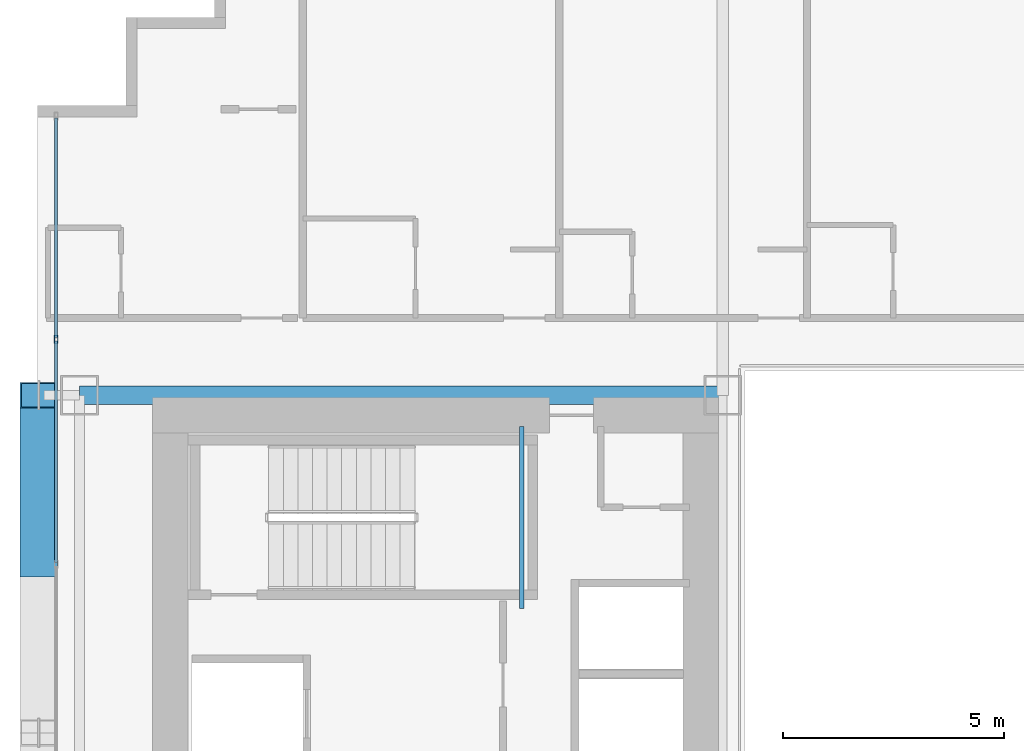
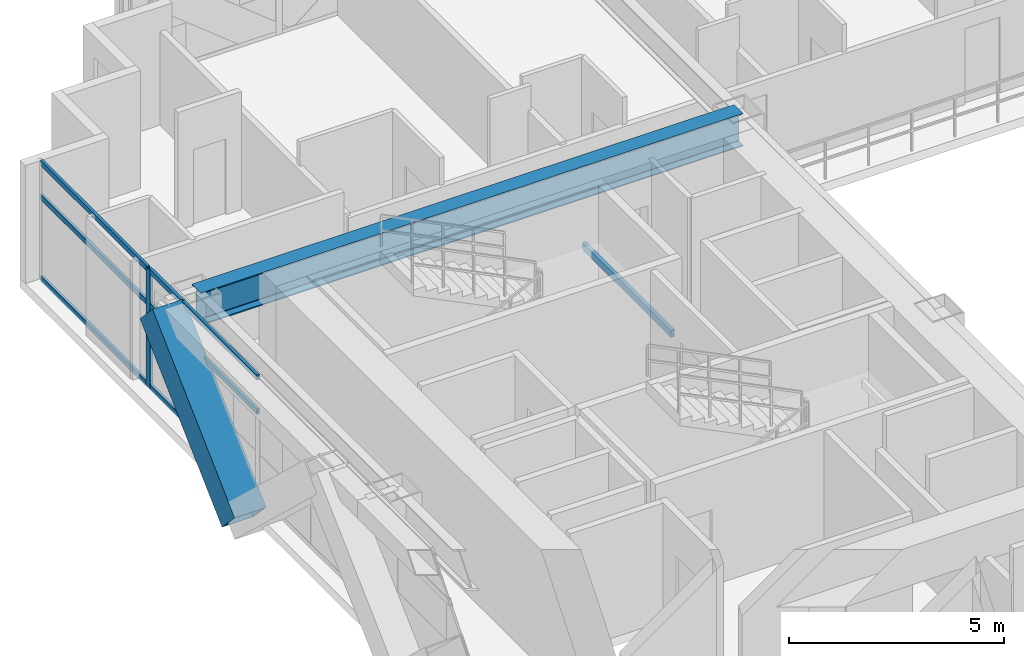
# One storey, part 16 of 38: 8 members, 2 beams, 1 element without a shape of its own.
"""IFC4 building model written with IfcOpenShell, lengths in metres."""

from ifc_helpers import new_model, si_unit, direction, frame, origin, origin_2d, place, context, subcontext, project, spatial, hollow_rectangle, i_section, extrude, source, transform, mapped, material, layer, layer_set, material_profile, profile_set, type_object, element, aggregate, save


model = new_model("IFC4")

# Units and contexts
model_context = context("Model", 3, precision=1e-05, world=origin(), true_north=direction((0.0, 1.0)))
body_context = subcontext(model_context, "Body", "Model", "MODEL_VIEW")
ifc_project = project(units=[si_unit("LENGTHUNIT", "METRE"), si_unit("AREAUNIT", "SQUARE_METRE"), si_unit("VOLUMEUNIT", "CUBIC_METRE"), si_unit("PLANEANGLEUNIT", "RADIAN"), si_unit("MASSUNIT", "GRAM", prefix="KILO")], contexts=[model_context])

# Site, building, storey
site_placement = place(None, origin())
site = spatial("IfcSite", under=ifc_project, at=site_placement, CompositionType="ELEMENT")
building_placement = place(site_placement, origin())
building = spatial("IfcBuilding", under=site, at=building_placement, Name="Ocotamira Hotel", CompositionType="ELEMENT")
storey_placement = place(building_placement, frame((0.0, 0.0, 45.60009765625)))
storey = spatial("IfcBuildingStorey", under=building, at=storey_placement, Name="L10", CompositionType="ELEMENT", Elevation=45.60009765625)

# Beams
ifc_material_1 = material(Name="Steel ASTM A500 Grade C", Category="steel")
ifc_material_profile_1 = material_profile(ifc_material_1, hollow_rectangle(XDim=0.10009765625, YDim=0.199951171875, WallThickness=0.008056640625, at=origin_2d()), Name="HSS200X100X8")
ifc_profile_set_1 = profile_set([ifc_material_profile_1], Name="Steel ASTM A500 Grade C")
beam_type_1 = type_object("IfcBeamType", Name="BM-STLDG-HSS200", PredefinedType="BEAM", material=ifc_profile_set_1)
shared_shape_1 = source(origin(), body_context, "Body", "SweptSolid", [
    extrude(hollow_rectangle(XDim=0.10009765625, YDim=0.199951171875, WallThickness=0.008056640625, at=origin_2d()), origin(), (0.0, 0.0, 1.0), 4.1201171875),
])
beam_1_placement = place(storey_placement, frame((18.949951171875, 32.6298828125, 1.5), z_axis=(0.0, 1.0, 0.0), x_axis=(-1.0, 0.0, 0.0)))
element("IfcBeam", 1, at=beam_1_placement, inside=storey, type_object=beam_type_1, Name="L10 Stair ST-2 Landing Bearer 1", PredefinedType="BEAM", context=body_context, shape_type="MappedRepresentation", body=[
    mapped(shared_shape_1, transform((0.0, 0.0, 0.0), scale=1.0)),
])
ifc_material_2 = material(Name="Steel ASTM A992 Grade 50", Category="steel")
ifc_material_profile_2 = material_profile(ifc_material_2, i_section(OverallWidth=0.41796875, OverallDepth=0.927001953125, WebThickness=0.019287109375, FlangeThickness=0.031982421875, FilletRadius=0.02392578125, at=origin_2d()), Name="W36X231")
ifc_profile_set_2 = profile_set([ifc_material_profile_2], Name="Steel ASTM A992 Grade 50")
beam_type_2 = type_object("IfcBeamType", Name="BM-GIRD-W36X231", PredefinedType="BEAM", material=ifc_profile_set_2)
shared_shape_2 = source(origin(), body_context, "Body", "SweptSolid", [
    extrude(i_section(OverallWidth=0.41796875, OverallDepth=0.927001953125, WebThickness=0.019287109375, FlangeThickness=0.031982421875, FilletRadius=0.02392578125, at=origin_2d()), origin(), (0.0, 0.0, 1.0), 14.550048828125),
])
beam_2_placement = place(storey_placement, frame((8.949951171875, 37.449951171875, 2.886474609375), z_axis=(1.0, 0.0, 0.0), x_axis=(0.0, 1.0, 0.0)))
element("IfcBeam", 2, at=beam_2_placement, inside=storey, type_object=beam_type_2, Name="L10 Girder Y37.45 X8.95-23.5", PredefinedType="BEAM", context=body_context, shape_type="MappedRepresentation", body=[
    mapped(shared_shape_2, transform((0.0, 0.0, 0.0), scale=1.0)),
])

# Member
ifc_material_3 = material(Name="Pale-metal coated steel ASTM A913 Grade 65", Category="steel")
ifc_material_profile_3 = material_profile(ifc_material_3, hollow_rectangle(XDim=0.85009765625, YDim=0.85009765625, WallThickness=0.035888671875, at=origin_2d()), Name="BOX850X850X36")
ifc_profile_set_3 = profile_set([ifc_material_profile_3], Name="Pale-metal coated steel ASTM A913 Grade 65")
member_type_1 = type_object("IfcMemberType", Name="MEM-EXO-BOX850", PredefinedType="BRACE", material=ifc_profile_set_3)
shared_shape_3 = source(origin(), body_context, "Body", "SweptSolid", [
    extrude(hollow_rectangle(XDim=0.85009765625, YDim=0.85009765625, WallThickness=0.035888671875, at=origin_2d()), origin(), (0.0, 0.0, 1.0), 5.24658203125),
])
member_1_placement = place(storey_placement, frame((8.030029296875, 33.63330078125, -0.5), z_axis=(0.0, 0.72746596067, 0.686143772154), x_axis=(-1.0, 0.0, 0.0)))
element("IfcMember", 3, at=member_1_placement, inside=storey, type_object=member_type_1, Name="L10 Exoskeleton Diagrid W2.2", PredefinedType="BRACE", context=body_context, shape_type="MappedRepresentation", body=[
    mapped(shared_shape_3, transform((0.0, 0.0, 0.0), scale=1.0)),
])

# Curtain wall, members
ifc_material_4 = material(Name="Anodised pale-metal aluminium and solar glass", Category="aluminium")
ifc_layer = layer(ifc_material_4, 0.179931640625)
ifc_layer_set = layer_set([ifc_layer], Name="Anodised pale-metal aluminium and solar glass")
curtain_wall_type = type_object("IfcCurtainWallType", Name="CW-SYS2-Z1", PredefinedType="NOTDEFINED", material=ifc_layer_set)
curtain_wall_placement = place(storey_placement, origin())
curtain_wall = element("IfcCurtainWall", 4, at=curtain_wall_placement, inside=storey, type_object=curtain_wall_type, Name="L10 Curtain Wall CW-2 CW-L10-W", PredefinedType="NOTDEFINED")
ifc_material_5 = material(Name="Anodised pale-metal aluminium 6063-T6", Category="aluminium")
ifc_material_profile_4 = material_profile(ifc_material_5, hollow_rectangle(XDim=0.080078125, YDim=0.179931640625, WallThickness=0.006103515625, at=origin_2d()), Name="HSS180X80X6")
ifc_profile_set_4 = profile_set([ifc_material_profile_4], Name="Anodised pale-metal aluminium 6063-T6")
member_type_2 = type_object("IfcMemberType", Name="CWM-180X75", PredefinedType="MULLION", material=ifc_profile_set_4)
shared_shape_4 = source(origin(), body_context, "Body", "SweptSolid", [
    extrude(hollow_rectangle(XDim=0.080078125, YDim=0.179931640625, WallThickness=0.006103515625, at=origin_2d()), origin(), (0.0, 0.0, 1.0), 3.349853515625),
])
member_2_placement = place(storey_placement, frame((8.419921875, 38.71435546875, 0.0), z_axis=(0.0, 0.0, 1.0), x_axis=(-1.0, 0.0, 0.0)))
member_2 = element("IfcMember", 5, at=member_2_placement, type_object=member_type_2, Name="CW-2 mullion 7", PredefinedType="MULLION", context=body_context, shape_type="MappedRepresentation", body=[
    mapped(shared_shape_4, transform((0.0, 0.0, 0.0), scale=1.0)),
])
ifc_material_profile_5 = material_profile(ifc_material_5, hollow_rectangle(XDim=0.074951171875, YDim=0.14990234375, WallThickness=0.006103515625, at=origin_2d()), Name="HSS150X75X6")
ifc_profile_set_5 = profile_set([ifc_material_profile_5], Name="Anodised pale-metal aluminium 6063-T6")
member_type_3 = type_object("IfcMemberType", Name="CWT-150X75", PredefinedType="USERDEFINED", material=ifc_profile_set_5)
shared_shape_5 = source(origin(), body_context, "Body", "SweptSolid", [
    extrude(hollow_rectangle(XDim=0.074951171875, YDim=0.14990234375, WallThickness=0.006103515625, at=origin_2d()), origin(), (0.0, 0.0, 1.0), 4.965576171875),
])
member_3_placement = place(storey_placement, frame((8.419921875, 38.75439453125, 0.037353515625), z_axis=(0.0, 1.0, 0.0), x_axis=(-1.0, 0.0, 0.0)))
member_3 = element("IfcMember", 6, at=member_3_placement, type_object=member_type_3, Name="CW-2 transom 7.1", ObjectType="TRANSOM", PredefinedType="USERDEFINED", context=body_context, shape_type="MappedRepresentation", body=[
    mapped(shared_shape_5, transform((0.0, 0.0, 0.0), scale=1.0)),
])
member_4_placement = place(storey_placement, frame((8.419921875, 38.75439453125, 2.349853515625), z_axis=(0.0, 1.0, 0.0), x_axis=(-1.0, 0.0, 0.0)))
member_4 = element("IfcMember", 7, at=member_4_placement, type_object=member_type_3, Name="CW-2 transom 7.2", ObjectType="TRANSOM", PredefinedType="USERDEFINED", context=body_context, shape_type="MappedRepresentation", body=[
    mapped(shared_shape_5, transform((0.0, 0.0, 0.0), scale=1.0)),
])
member_5_placement = place(storey_placement, frame((8.419921875, 38.75439453125, 3.3125), z_axis=(0.0, 1.0, 0.0), x_axis=(-1.0, 0.0, 0.0)))
member_5 = element("IfcMember", 8, at=member_5_placement, type_object=member_type_3, Name="CW-2 transom 7.3", ObjectType="TRANSOM", PredefinedType="USERDEFINED", context=body_context, shape_type="MappedRepresentation", body=[
    mapped(shared_shape_5, transform((0.0, 0.0, 0.0), scale=1.0)),
])
shared_shape_6 = source(origin(), body_context, "Body", "SweptSolid", [
    extrude(hollow_rectangle(XDim=0.074951171875, YDim=0.14990234375, WallThickness=0.006103515625, at=origin_2d()), origin(), (0.0, 0.0, 1.0), 5.005859375),
])
member_6_placement = place(storey_placement, frame((8.419921875, 33.66845703125, 0.037353515625), z_axis=(0.0, 1.0, 0.0), x_axis=(-1.0, 0.0, 0.0)))
member_6 = element("IfcMember", 9, at=member_6_placement, type_object=member_type_3, Name="CW-2 transom 6.1", ObjectType="TRANSOM", PredefinedType="USERDEFINED", context=body_context, shape_type="MappedRepresentation", body=[
    mapped(shared_shape_6, transform((0.0, 0.0, 0.0), scale=1.0)),
])
member_7_placement = place(storey_placement, frame((8.419921875, 33.66845703125, 2.349853515625), z_axis=(0.0, 1.0, 0.0), x_axis=(-1.0, 0.0, 0.0)))
member_7 = element("IfcMember", 10, at=member_7_placement, type_object=member_type_3, Name="CW-2 transom 6.2", ObjectType="TRANSOM", PredefinedType="USERDEFINED", context=body_context, shape_type="MappedRepresentation", body=[
    mapped(shared_shape_6, transform((0.0, 0.0, 0.0), scale=1.0)),
])
member_8_placement = place(storey_placement, frame((8.419921875, 33.66845703125, 3.3125), z_axis=(0.0, 1.0, 0.0), x_axis=(-1.0, 0.0, 0.0)))
member_8 = element("IfcMember", 11, at=member_8_placement, type_object=member_type_3, Name="CW-2 transom 6.3", ObjectType="TRANSOM", PredefinedType="USERDEFINED", context=body_context, shape_type="MappedRepresentation", body=[
    mapped(shared_shape_6, transform((0.0, 0.0, 0.0), scale=1.0)),
])
aggregate(curtain_wall, [member_2, member_6, member_7, member_8, member_3, member_4, member_5])

save(model, "model.ifc")
